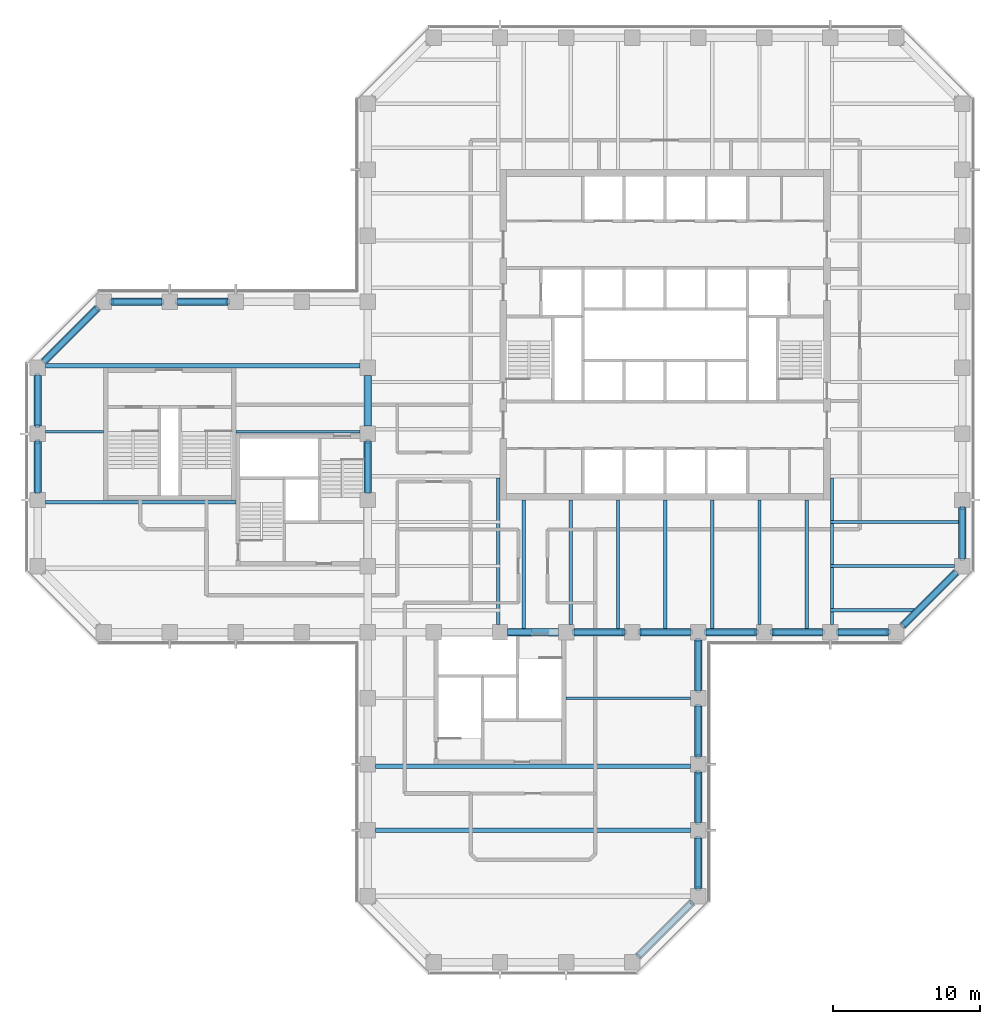
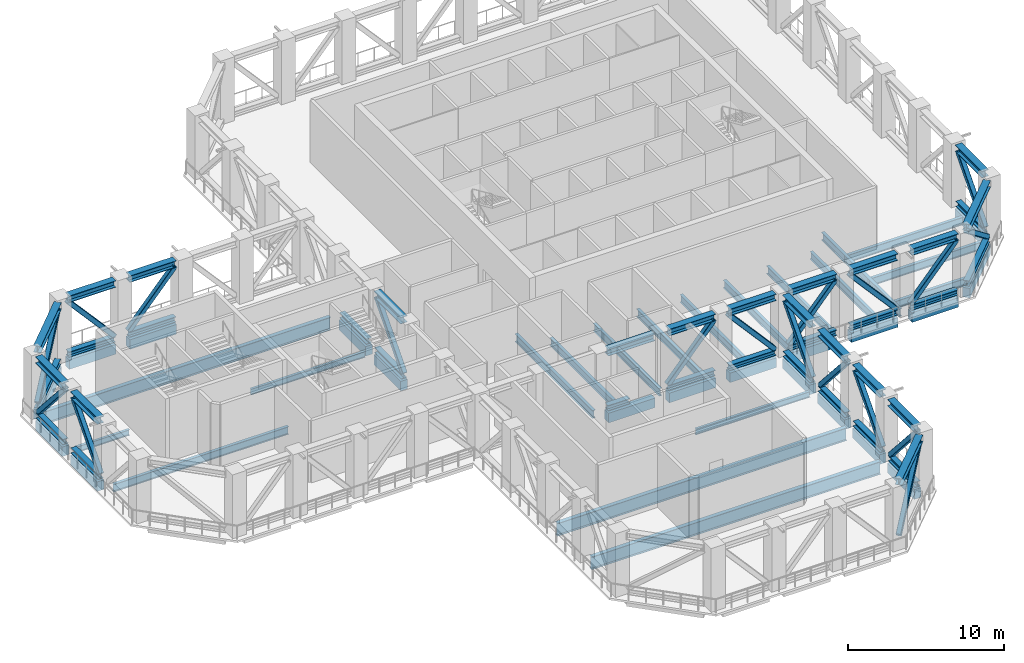
# One storey, part 2 of 14: 56 members, 38 beams.
"""IFC4 building model written with IfcOpenShell, lengths in metres."""

from ifc_helpers import new_model, si_unit, direction, frame, origin, origin_2d, place, context, subcontext, project, spatial, rectangle, hollow_rectangle, i_section, extrude, material, material_profile, profile_set, type_object, element, save


model = new_model("IFC4")

# Units and contexts
model_context = context("Model", 3, precision=1e-05, world=origin(), true_north=direction((0.0, 1.0)))
body_context = subcontext(model_context, "Body", "Model", "MODEL_VIEW")
ifc_project = project(units=[si_unit("LENGTHUNIT", "METRE"), si_unit("AREAUNIT", "SQUARE_METRE"), si_unit("VOLUMEUNIT", "CUBIC_METRE"), si_unit("PLANEANGLEUNIT", "RADIAN"), si_unit("MASSUNIT", "GRAM", prefix="KILO")], contexts=[model_context])

# Site, building, storey
site_placement = place(None, origin())
site = spatial("IfcSite", under=ifc_project, at=site_placement, CompositionType="ELEMENT")
building_placement = place(site_placement, origin())
building = spatial("IfcBuilding", under=site, at=building_placement, Name="Quoin Convention Tower", CompositionType="ELEMENT")
storey_placement = place(building_placement, frame((0.0, 0.0, 138.10009765625)))
storey = spatial("IfcBuildingStorey", under=building, at=storey_placement, Name="L36", CompositionType="ELEMENT", Elevation=138.10009765625)

# Beams
ifc_material_1 = material(Name="Steel Grade 300", Category="steel")
ifc_material_profile_1 = material_profile(ifc_material_1, i_section(OverallWidth=0.300048828125, OverallDepth=1.0, WebThickness=0.01611328125, FlangeThickness=0.02001953125, at=origin_2d()), Name="1000WB215")
ifc_profile_set_1 = profile_set([ifc_material_profile_1], Name="Steel Grade 300")
beam_type_1 = type_object("IfcBeamType", Name="1000WB215", PredefinedType="BEAM", material=ifc_profile_set_1)
for number, where, z_axis, x_axis, name in (
    (1, (36.52490234375, 27.0, -0.650146484375), (1.0, 0.0, 0.0), (0.0, 1.0, 0.0), "gir-L36-ST3-2-0"),
    (2, (36.52490234375, 31.35009765625, -0.650146484375), (1.0, 0.0, 0.0), (0.0, 1.0, 0.0), "gir-L36-ST3-3-0"),
    (3, (14.02490234375, 58.64990234375, -0.650146484375), (1.0, 0.0, 0.0), (0.0, 1.0, 0.0), "gir-L36-ST2-4-0"),
):
    element("IfcBeam", number, at=place(storey_placement, frame(where, z_axis=z_axis, x_axis=x_axis)), inside=storey, type_object=beam_type_1, Name=name, PredefinedType="BEAM", context=body_context, shape_type="SweptSolid", body=[
        extrude(i_section(OverallWidth=0.300048828125, OverallDepth=1.0, WebThickness=0.01611328125, FlangeThickness=0.02001953125, at=origin_2d()), origin(), (0.0, 0.0, 1.0), 21.4501953125),
    ])

# Members
ifc_material_2 = material(Name="Steel C450L0", Category="steel")
ifc_material_profile_2 = material_profile(ifc_material_2, hollow_rectangle(XDim=0.35009765625, YDim=0.35009765625, WallThickness=0.01611328125, InnerFilletRadius=0.02392578125, OuterFilletRadius=0.0400390625, at=origin_2d()), Name="350x350x16.0SHS")
ifc_profile_set_2 = profile_set([ifc_material_profile_2], Name="Steel C450L0")
member_type_1 = type_object("IfcMemberType", Name="350x350x16.0SHS", PredefinedType="BRACE", material=ifc_profile_set_2)
for number, where, z_axis, x_axis, name in (
    (4, (59.02490234375, 40.5, 0.421875), (0.661256330643, 0.0, 0.750160026384), (0.0, 1.0, 0.0), "Belt truss L36 diagonal 58500_40500-63000_40500"),
    (5, (66.97509765625, 40.5, 0.421875), (-0.661256330643, 0.0, 0.750160026384), (0.0, -1.0, 0.0), "Belt truss L36 diagonal 63000_40500-67500_40500"),
    (6, (68.02490234375, 40.5, 0.421875), (0.661256330643, 0.0, 0.750160026384), (0.0, 1.0, 0.0), "Belt truss L36 diagonal 67500_40500-72000_40500"),
):
    element("IfcMember", number, at=place(storey_placement, frame(where, z_axis=z_axis, x_axis=x_axis)), inside=storey, type_object=member_type_1, Name=name, PredefinedType="BRACE", context=body_context, shape_type="SweptSolid", body=[
        extrude(hollow_rectangle(XDim=0.35009765625, YDim=0.35009765625, WallThickness=0.01611328125, InnerFilletRadius=0.02392578125, OuterFilletRadius=0.0400390625, at=origin_2d()), origin(), (0.0, 0.0, 1.0), 5.217529296875),
    ])
member_1_placement = place(storey_placement, frame((76.059814453125, 44.559814453125, 0.421875), z_axis=(-0.561717629009, -0.561717629009, 0.607409755043), x_axis=(0.707106781187, -0.707106781187, 0.0)))
element("IfcMember", 7, at=member_1_placement, inside=storey, type_object=member_type_1, Name="Belt truss L36 diagonal 72000_40500-76500_45000", PredefinedType="BRACE", context=body_context, shape_type="SweptSolid", body=[
    extrude(hollow_rectangle(XDim=0.35009765625, YDim=0.35009765625, WallThickness=0.01611328125, InnerFilletRadius=0.02392578125, OuterFilletRadius=0.0400390625, at=origin_2d()), origin(), (0.0, 0.0, 1.0), 6.44384765625),
])
for number, where, z_axis, x_axis, name in (
    (8, (76.5, 45.52490234375, 0.421875), (0.0, 0.661256330643, 0.750160026384), (-1.0, 0.0, 0.0), "Belt truss L36 diagonal 76500_45000-76500_49500"),
    (9, (23.02490234375, 63.0, 0.421875), (0.661256330643, 0.0, 0.750160026384), (0.0, 1.0, 0.0), "Belt truss L36 diagonal 27000_63000-22500_63000"),
    (10, (21.97509765625, 63.0, 0.421875), (-0.661256330643, 0.0, 0.750160026384), (0.0, -1.0, 0.0), "Belt truss L36 diagonal 22500_63000-18000_63000"),
):
    element("IfcMember", number, at=place(storey_placement, frame(where, z_axis=z_axis, x_axis=x_axis)), inside=storey, type_object=member_type_1, Name=name, PredefinedType="BRACE", context=body_context, shape_type="SweptSolid", body=[
        extrude(hollow_rectangle(XDim=0.35009765625, YDim=0.35009765625, WallThickness=0.01611328125, InnerFilletRadius=0.02392578125, OuterFilletRadius=0.0400390625, at=origin_2d()), origin(), (0.0, 0.0, 1.0), 5.217529296875),
    ])
member_2_placement = place(storey_placement, frame((13.940185546875, 58.940185546875, 0.421875), z_axis=(0.561717629009, 0.561717629009, 0.607409755043), x_axis=(-0.707106781187, 0.707106781187, 0.0)))
element("IfcMember", 11, at=member_2_placement, inside=storey, type_object=member_type_1, Name="Belt truss L36 diagonal 18000_63000-13500_58500", PredefinedType="BRACE", context=body_context, shape_type="SweptSolid", body=[
    extrude(hollow_rectangle(XDim=0.35009765625, YDim=0.35009765625, WallThickness=0.01611328125, InnerFilletRadius=0.02392578125, OuterFilletRadius=0.0400390625, at=origin_2d()), origin(), (0.0, 0.0, 1.0), 6.44384765625),
])
for number, where, z_axis, x_axis, name in (
    (12, (13.5, 57.97509765625, 0.421875), (0.0, -0.661256330643, 0.750160026384), (1.0, 0.0, 0.0), "Belt truss L36 diagonal 13500_58500-13500_54000"),
    (13, (13.5, 50.02490234375, 0.421875), (0.0, 0.661256330643, 0.750160026384), (-1.0, 0.0, 0.0), "Belt truss L36 diagonal 13500_54000-13500_49500"),
):
    element("IfcMember", number, at=place(storey_placement, frame(where, z_axis=z_axis, x_axis=x_axis)), inside=storey, type_object=member_type_1, Name=name, PredefinedType="BRACE", context=body_context, shape_type="SweptSolid", body=[
        extrude(hollow_rectangle(XDim=0.35009765625, YDim=0.35009765625, WallThickness=0.01611328125, InnerFilletRadius=0.02392578125, OuterFilletRadius=0.0400390625, at=origin_2d()), origin(), (0.0, 0.0, 1.0), 5.217529296875),
    ])
member_3_placement = place(storey_placement, frame((54.440185546875, 18.440185546875, 0.421875), z_axis=(0.561717629009, 0.561717629009, 0.607409755043), x_axis=(-0.707106781187, 0.707106781187, 0.0)))
element("IfcMember", 14, at=member_3_placement, inside=storey, type_object=member_type_1, Name="Belt truss L36 diagonal 54000_18000-58500_22500", PredefinedType="BRACE", context=body_context, shape_type="SweptSolid", body=[
    extrude(hollow_rectangle(XDim=0.35009765625, YDim=0.35009765625, WallThickness=0.01611328125, InnerFilletRadius=0.02392578125, OuterFilletRadius=0.0400390625, at=origin_2d()), origin(), (0.0, 0.0, 1.0), 6.44384765625),
])
for number, where, z_axis, x_axis, name in (
    (15, (58.5, 26.47509765625, 0.421875), (0.0, -0.661256330643, 0.750160026384), (1.0, 0.0, 0.0), "Belt truss L36 diagonal 58500_22500-58500_27000"),
    (16, (58.5, 27.52490234375, 0.421875), (0.0, 0.661256330643, 0.750160026384), (-1.0, 0.0, 0.0), "Belt truss L36 diagonal 58500_27000-58500_31500"),
    (17, (58.5, 35.47509765625, 0.421875), (0.0, -0.661256330643, 0.750160026384), (1.0, 0.0, 0.0), "Belt truss L36 diagonal 58500_31500-58500_36000"),
    (18, (58.5, 36.52490234375, 0.421875), (0.0, 0.661256330643, 0.750160026384), (-1.0, 0.0, 0.0), "Belt truss L36 diagonal 58500_36000-58500_40500"),
    (19, (50.02490234375, 40.5, 0.421875), (0.661256330643, 0.0, 0.750160026384), (0.0, 1.0, 0.0), "Belt truss L36 diagonal 49500_40500-54000_40500"),
    (20, (57.97509765625, 40.5, 0.421875), (-0.661256330643, 0.0, 0.750160026384), (0.0, -1.0, 0.0), "Belt truss L36 diagonal 54000_40500-58500_40500"),
    (21, (36.0, 50.02490234375, 0.421875), (0.0, 0.661256330643, 0.750160026384), (-1.0, 0.0, 0.0), "Belt truss L36 diagonal 36000_49500-36000_54000"),
):
    element("IfcMember", number, at=place(storey_placement, frame(where, z_axis=z_axis, x_axis=x_axis)), inside=storey, type_object=member_type_1, Name=name, PredefinedType="BRACE", context=body_context, shape_type="SweptSolid", body=[
        extrude(hollow_rectangle(XDim=0.35009765625, YDim=0.35009765625, WallThickness=0.01611328125, InnerFilletRadius=0.02392578125, OuterFilletRadius=0.0400390625, at=origin_2d()), origin(), (0.0, 0.0, 1.0), 5.217529296875),
    ])
ifc_material_profile_3 = material_profile(ifc_material_1, i_section(OverallWidth=0.39990234375, OverallDepth=0.422119140625, WebThickness=0.028076171875, FlangeThickness=0.035888671875, at=origin_2d()), Name="400WC303")
ifc_profile_set_3 = profile_set([ifc_material_profile_3], Name="Steel Grade 300")
member_type_2 = type_object("IfcMemberType", Name="400WC303", PredefinedType="CHORD", material=ifc_profile_set_3)
for number, where, z_axis, x_axis, name in (
    (22, (59.02490234375, 40.5, 0.2109375), (1.0, 0.0, 0.0), (0.0, 1.0, 0.0), "Belt truss L36 bottom chord 58500_40500-63000_40500"),
    (23, (63.52490234375, 40.5, 0.2109375), (1.0, 0.0, 0.0), (0.0, 1.0, 0.0), "Belt truss L36 bottom chord 63000_40500-67500_40500"),
    (24, (68.02490234375, 40.5, 0.2109375), (1.0, 0.0, 0.0), (0.0, 1.0, 0.0), "Belt truss L36 bottom chord 67500_40500-72000_40500"),
):
    element("IfcMember", number, at=place(storey_placement, frame(where, z_axis=z_axis, x_axis=x_axis)), inside=storey, type_object=member_type_2, Name=name, PredefinedType="CHORD", context=body_context, shape_type="SweptSolid", body=[
        extrude(i_section(OverallWidth=0.39990234375, OverallDepth=0.422119140625, WebThickness=0.028076171875, FlangeThickness=0.035888671875, at=origin_2d()), origin(), (0.0, 0.0, 1.0), 3.4501953125),
    ])
member_4_placement = place(storey_placement, frame((72.440185546875, 40.940185546875, 0.2109375), z_axis=(0.707106781187, 0.707106781187, 0.0), x_axis=(-0.707106781187, 0.707106781187, 0.0)))
element("IfcMember", 25, at=member_4_placement, inside=storey, type_object=member_type_2, Name="Belt truss L36 bottom chord 72000_40500-76500_45000", PredefinedType="CHORD", context=body_context, shape_type="SweptSolid", body=[
    extrude(i_section(OverallWidth=0.39990234375, OverallDepth=0.422119140625, WebThickness=0.028076171875, FlangeThickness=0.035888671875, at=origin_2d()), origin(), (0.0, 0.0, 1.0), 5.118896484375),
])
for number, where, z_axis, x_axis, name in (
    (26, (76.5, 45.52490234375, 0.2109375), (0.0, 1.0, 0.0), (-1.0, 0.0, 0.0), "Belt truss L36 bottom chord 76500_45000-76500_49500"),
    (27, (26.47509765625, 63.0, 0.2109375), (-1.0, 0.0, 0.0), (0.0, -1.0, 0.0), "Belt truss L36 bottom chord 27000_63000-22500_63000"),
    (28, (21.97509765625, 63.0, 0.2109375), (-1.0, 0.0, 0.0), (0.0, -1.0, 0.0), "Belt truss L36 bottom chord 22500_63000-18000_63000"),
):
    element("IfcMember", number, at=place(storey_placement, frame(where, z_axis=z_axis, x_axis=x_axis)), inside=storey, type_object=member_type_2, Name=name, PredefinedType="CHORD", context=body_context, shape_type="SweptSolid", body=[
        extrude(i_section(OverallWidth=0.39990234375, OverallDepth=0.422119140625, WebThickness=0.028076171875, FlangeThickness=0.035888671875, at=origin_2d()), origin(), (0.0, 0.0, 1.0), 3.4501953125),
    ])
member_5_placement = place(storey_placement, frame((17.559814453125, 62.559814453125, 0.2109375), z_axis=(-0.707106781187, -0.707106781187, 0.0), x_axis=(0.707106781187, -0.707106781187, 0.0)))
element("IfcMember", 29, at=member_5_placement, inside=storey, type_object=member_type_2, Name="Belt truss L36 bottom chord 18000_63000-13500_58500", PredefinedType="CHORD", context=body_context, shape_type="SweptSolid", body=[
    extrude(i_section(OverallWidth=0.39990234375, OverallDepth=0.422119140625, WebThickness=0.028076171875, FlangeThickness=0.035888671875, at=origin_2d()), origin(), (0.0, 0.0, 1.0), 5.118896484375),
])
for number, where, z_axis, x_axis, name in (
    (30, (13.5, 57.97509765625, 0.2109375), (0.0, -1.0, 0.0), (1.0, 0.0, 0.0), "Belt truss L36 bottom chord 13500_58500-13500_54000"),
    (31, (13.5, 53.47509765625, 0.2109375), (0.0, -1.0, 0.0), (1.0, 0.0, 0.0), "Belt truss L36 bottom chord 13500_54000-13500_49500"),
    (32, (58.5, 23.02490234375, 0.2109375), (0.0, 1.0, 0.0), (-1.0, 0.0, 0.0), "Belt truss L36 bottom chord 58500_22500-58500_27000"),
    (33, (58.5, 27.52490234375, 0.2109375), (0.0, 1.0, 0.0), (-1.0, 0.0, 0.0), "Belt truss L36 bottom chord 58500_27000-58500_31500"),
    (34, (58.5, 32.02490234375, 0.2109375), (0.0, 1.0, 0.0), (-1.0, 0.0, 0.0), "Belt truss L36 bottom chord 58500_31500-58500_36000"),
    (35, (58.5, 36.52490234375, 0.2109375), (0.0, 1.0, 0.0), (-1.0, 0.0, 0.0), "Belt truss L36 bottom chord 58500_36000-58500_40500"),
    (36, (50.02490234375, 40.5, 0.2109375), (1.0, 0.0, 0.0), (0.0, 1.0, 0.0), "Belt truss L36 bottom chord 49500_40500-54000_40500"),
    (37, (54.52490234375, 40.5, 0.2109375), (1.0, 0.0, 0.0), (0.0, 1.0, 0.0), "Belt truss L36 bottom chord 54000_40500-58500_40500"),
    (38, (36.0, 50.02490234375, 0.2109375), (0.0, 1.0, 0.0), (-1.0, 0.0, 0.0), "Belt truss L36 bottom chord 36000_49500-36000_54000"),
    (39, (36.0, 54.52490234375, 0.2109375), (0.0, 1.0, 0.0), (-1.0, 0.0, 0.0), "Belt truss L36 bottom chord 36000_54000-36000_58500"),
):
    element("IfcMember", number, at=place(storey_placement, frame(where, z_axis=z_axis, x_axis=x_axis)), inside=storey, type_object=member_type_2, Name=name, PredefinedType="CHORD", context=body_context, shape_type="SweptSolid", body=[
        extrude(i_section(OverallWidth=0.39990234375, OverallDepth=0.422119140625, WebThickness=0.028076171875, FlangeThickness=0.035888671875, at=origin_2d()), origin(), (0.0, 0.0, 1.0), 3.4501953125),
    ])
member_6_placement = place(storey_placement, frame((45.52490234375, 40.5, 0.2109375), z_axis=(1.0, 0.0, 0.0), x_axis=(0.0, 1.0, 0.0)))
element("IfcMember", 40, at=member_6_placement, inside=storey, type_object=member_type_2, Name="Belt truss L36 bottom chord 45000_40500-49500_40500", PredefinedType="CHORD", context=body_context, shape_type="SweptSolid", body=[
    extrude(i_section(OverallWidth=0.39990234375, OverallDepth=0.422119140625, WebThickness=0.028076171875, FlangeThickness=0.035888671875, at=origin_2d()), origin(), (0.0, 0.0, 1.0), 1.625),
])

# Beams
ifc_material_profile_4 = material_profile(ifc_material_1, i_section(OverallWidth=0.18994140625, OverallDepth=0.4541015625, WebThickness=0.008544921875, FlangeThickness=0.0126953125, FilletRadius=0.011474609375, at=origin_2d()), Name="460UB67.1")
ifc_profile_set_4 = profile_set([ifc_material_profile_4], Name="Steel Grade 300")
beam_type_2 = type_object("IfcBeamType", Name="460UB67.1", PredefinedType="BEAM", material=ifc_profile_set_4)
beam_1_placement = place(storey_placement, frame((49.5, 36.0, -0.377197265625), z_axis=(1.0, 0.0, 0.0), x_axis=(0.0, 1.0, 0.0)))
element("IfcBeam", 41, at=beam_1_placement, inside=storey, type_object=beam_type_2, Name="gir-L36-ST3-4-1", PredefinedType="BEAM", context=body_context, shape_type="SweptSolid", body=[
    extrude(i_section(OverallWidth=0.18994140625, OverallDepth=0.4541015625, WebThickness=0.008544921875, FlangeThickness=0.0126953125, FilletRadius=0.011474609375, at=origin_2d()), origin(), (0.0, 0.0, 1.0), 8.47509765625),
])
beam_2_placement = place(storey_placement, frame((14.02490234375, 54.14990234375, -0.377197265625), z_axis=(1.0, 0.0, 0.0), x_axis=(0.0, 1.0, 0.0)))
element("IfcBeam", 42, at=beam_2_placement, inside=storey, type_object=beam_type_2, Name="gir-L36-ST2-3-0", PredefinedType="BEAM", context=body_context, shape_type="SweptSolid", body=[
    extrude(i_section(OverallWidth=0.18994140625, OverallDepth=0.4541015625, WebThickness=0.008544921875, FlangeThickness=0.0126953125, FilletRadius=0.011474609375, at=origin_2d()), origin(), (0.0, 0.0, 1.0), 3.97509765625),
])
beam_3_placement = place(storey_placement, frame((27.0, 54.14990234375, -0.377197265625), z_axis=(1.0, 0.0, 0.0), x_axis=(0.0, 1.0, 0.0)))
element("IfcBeam", 43, at=beam_3_placement, inside=storey, type_object=beam_type_2, Name="gir-L36-ST2-3-1", PredefinedType="BEAM", context=body_context, shape_type="SweptSolid", body=[
    extrude(i_section(OverallWidth=0.18994140625, OverallDepth=0.4541015625, WebThickness=0.008544921875, FlangeThickness=0.0126953125, FilletRadius=0.011474609375, at=origin_2d()), origin(), (0.0, 0.0, 1.0), 8.47509765625),
])

# Members
ifc_material_profile_5 = material_profile(ifc_material_1, i_section(OverallWidth=0.5, OverallDepth=0.513916015625, WebThickness=0.02490234375, FlangeThickness=0.031982421875, at=origin_2d()), Name="500WC340")
ifc_profile_set_5 = profile_set([ifc_material_profile_5], Name="Steel Grade 300")
member_type_3 = type_object("IfcMemberType", Name="500WC340", PredefinedType="CHORD", material=ifc_profile_set_5)
for number, where, z_axis, x_axis, name in (
    (44, (59.02490234375, 40.5, 4.593017578125), (1.0, 0.0, 0.0), (0.0, 1.0, 0.0), "Belt truss L36 top chord 58500_40500-63000_40500"),
    (45, (63.52490234375, 40.5, 4.593017578125), (1.0, 0.0, 0.0), (0.0, 1.0, 0.0), "Belt truss L36 top chord 63000_40500-67500_40500"),
    (46, (68.02490234375, 40.5, 4.593017578125), (1.0, 0.0, 0.0), (0.0, 1.0, 0.0), "Belt truss L36 top chord 67500_40500-72000_40500"),
):
    element("IfcMember", number, at=place(storey_placement, frame(where, z_axis=z_axis, x_axis=x_axis)), inside=storey, type_object=member_type_3, Name=name, PredefinedType="CHORD", context=body_context, shape_type="SweptSolid", body=[
        extrude(i_section(OverallWidth=0.5, OverallDepth=0.513916015625, WebThickness=0.02490234375, FlangeThickness=0.031982421875, at=origin_2d()), origin(), (0.0, 0.0, 1.0), 3.4501953125),
    ])
member_7_placement = place(storey_placement, frame((72.440185546875, 40.940185546875, 4.593017578125), z_axis=(0.707106781187, 0.707106781187, 0.0), x_axis=(-0.707106781187, 0.707106781187, 0.0)))
element("IfcMember", 47, at=member_7_placement, inside=storey, type_object=member_type_3, Name="Belt truss L36 top chord 72000_40500-76500_45000", PredefinedType="CHORD", context=body_context, shape_type="SweptSolid", body=[
    extrude(i_section(OverallWidth=0.5, OverallDepth=0.513916015625, WebThickness=0.02490234375, FlangeThickness=0.031982421875, at=origin_2d()), origin(), (0.0, 0.0, 1.0), 5.118896484375),
])
for number, where, z_axis, x_axis, name in (
    (48, (76.5, 45.52490234375, 4.593017578125), (0.0, 1.0, 0.0), (-1.0, 0.0, 0.0), "Belt truss L36 top chord 76500_45000-76500_49500"),
    (49, (26.47509765625, 63.0, 4.593017578125), (-1.0, 0.0, 0.0), (0.0, -1.0, 0.0), "Belt truss L36 top chord 27000_63000-22500_63000"),
    (50, (21.97509765625, 63.0, 4.593017578125), (-1.0, 0.0, 0.0), (0.0, -1.0, 0.0), "Belt truss L36 top chord 22500_63000-18000_63000"),
):
    element("IfcMember", number, at=place(storey_placement, frame(where, z_axis=z_axis, x_axis=x_axis)), inside=storey, type_object=member_type_3, Name=name, PredefinedType="CHORD", context=body_context, shape_type="SweptSolid", body=[
        extrude(i_section(OverallWidth=0.5, OverallDepth=0.513916015625, WebThickness=0.02490234375, FlangeThickness=0.031982421875, at=origin_2d()), origin(), (0.0, 0.0, 1.0), 3.4501953125),
    ])
member_8_placement = place(storey_placement, frame((17.559814453125, 62.559814453125, 4.593017578125), z_axis=(-0.707106781187, -0.707106781187, 0.0), x_axis=(0.707106781187, -0.707106781187, 0.0)))
element("IfcMember", 51, at=member_8_placement, inside=storey, type_object=member_type_3, Name="Belt truss L36 top chord 18000_63000-13500_58500", PredefinedType="CHORD", context=body_context, shape_type="SweptSolid", body=[
    extrude(i_section(OverallWidth=0.5, OverallDepth=0.513916015625, WebThickness=0.02490234375, FlangeThickness=0.031982421875, at=origin_2d()), origin(), (0.0, 0.0, 1.0), 5.118896484375),
])
for number, where, z_axis, x_axis, name in (
    (52, (13.5, 57.97509765625, 4.593017578125), (0.0, -1.0, 0.0), (1.0, 0.0, 0.0), "Belt truss L36 top chord 13500_58500-13500_54000"),
    (53, (13.5, 53.47509765625, 4.593017578125), (0.0, -1.0, 0.0), (1.0, 0.0, 0.0), "Belt truss L36 top chord 13500_54000-13500_49500"),
):
    element("IfcMember", number, at=place(storey_placement, frame(where, z_axis=z_axis, x_axis=x_axis)), inside=storey, type_object=member_type_3, Name=name, PredefinedType="CHORD", context=body_context, shape_type="SweptSolid", body=[
        extrude(i_section(OverallWidth=0.5, OverallDepth=0.513916015625, WebThickness=0.02490234375, FlangeThickness=0.031982421875, at=origin_2d()), origin(), (0.0, 0.0, 1.0), 3.4501953125),
    ])
member_9_placement = place(storey_placement, frame((54.440185546875, 18.440185546875, 4.593017578125), z_axis=(0.707106781187, 0.707106781187, 0.0), x_axis=(-0.707106781187, 0.707106781187, 0.0)))
element("IfcMember", 54, at=member_9_placement, inside=storey, type_object=member_type_3, Name="Belt truss L36 top chord 54000_18000-58500_22500", PredefinedType="CHORD", context=body_context, shape_type="SweptSolid", body=[
    extrude(i_section(OverallWidth=0.5, OverallDepth=0.513916015625, WebThickness=0.02490234375, FlangeThickness=0.031982421875, at=origin_2d()), origin(), (0.0, 0.0, 1.0), 5.118896484375),
])
for number, where, z_axis, x_axis, name in (
    (55, (58.5, 23.02490234375, 4.593017578125), (0.0, 1.0, 0.0), (-1.0, 0.0, 0.0), "Belt truss L36 top chord 58500_22500-58500_27000"),
    (56, (58.5, 27.52490234375, 4.593017578125), (0.0, 1.0, 0.0), (-1.0, 0.0, 0.0), "Belt truss L36 top chord 58500_27000-58500_31500"),
    (57, (58.5, 32.02490234375, 4.593017578125), (0.0, 1.0, 0.0), (-1.0, 0.0, 0.0), "Belt truss L36 top chord 58500_31500-58500_36000"),
    (58, (58.5, 36.52490234375, 4.593017578125), (0.0, 1.0, 0.0), (-1.0, 0.0, 0.0), "Belt truss L36 top chord 58500_36000-58500_40500"),
    (59, (45.52490234375, 40.5, 4.593017578125), (1.0, 0.0, 0.0), (0.0, 1.0, 0.0), "Belt truss L36 top chord 45000_40500-49500_40500"),
    (60, (50.02490234375, 40.5, 4.593017578125), (1.0, 0.0, 0.0), (0.0, 1.0, 0.0), "Belt truss L36 top chord 49500_40500-54000_40500"),
    (61, (54.52490234375, 40.5, 4.593017578125), (1.0, 0.0, 0.0), (0.0, 1.0, 0.0), "Belt truss L36 top chord 54000_40500-58500_40500"),
    (62, (36.0, 50.02490234375, 4.593017578125), (0.0, 1.0, 0.0), (-1.0, 0.0, 0.0), "Belt truss L36 top chord 36000_49500-36000_54000"),
):
    element("IfcMember", number, at=place(storey_placement, frame(where, z_axis=z_axis, x_axis=x_axis)), inside=storey, type_object=member_type_3, Name=name, PredefinedType="CHORD", context=body_context, shape_type="SweptSolid", body=[
        extrude(i_section(OverallWidth=0.5, OverallDepth=0.513916015625, WebThickness=0.02490234375, FlangeThickness=0.031982421875, at=origin_2d()), origin(), (0.0, 0.0, 1.0), 3.4501953125),
    ])

# Beams
ifc_material_profile_6 = material_profile(ifc_material_1, i_section(OverallWidth=0.22802734375, OverallDepth=0.60205078125, WebThickness=0.010498046875, FlangeThickness=0.014892578125, FilletRadius=0.013916015625, at=origin_2d()), Name="610UB101")
ifc_profile_set_6 = profile_set([ifc_material_profile_6], Name="Steel Grade 300")
beam_type_3 = type_object("IfcBeamType", Name="610UB101", PredefinedType="BEAM", material=ifc_profile_set_6)
beam_4_placement = place(storey_placement, frame((46.607177734375, 40.75, -0.451171875), z_axis=(0.0, 1.0, 0.0), x_axis=(-1.0, 0.0, 0.0)))
element("IfcBeam", 63, at=beam_4_placement, inside=storey, type_object=beam_type_3, Name="bm-L36-T1S0", PredefinedType="BEAM", context=body_context, shape_type="SweptSolid", body=[
    extrude(i_section(OverallWidth=0.22802734375, OverallDepth=0.60205078125, WebThickness=0.010498046875, FlangeThickness=0.014892578125, FilletRadius=0.013916015625, at=origin_2d()), origin(), (0.0, 0.0, 1.0), 8.75),
])
beam_5_placement = place(storey_placement, frame((49.8212890625, 41.02490234375, -0.451171875), z_axis=(0.0, 1.0, 0.0), x_axis=(-1.0, 0.0, 0.0)))
element("IfcBeam", 64, at=beam_5_placement, inside=storey, type_object=beam_type_3, Name="bm-L36-T1S1", PredefinedType="BEAM", context=body_context, shape_type="SweptSolid", body=[
    extrude(i_section(OverallWidth=0.22802734375, OverallDepth=0.60205078125, WebThickness=0.010498046875, FlangeThickness=0.014892578125, FilletRadius=0.013916015625, at=origin_2d()), origin(), (0.0, 0.0, 1.0), 8.47509765625),
])
for number, where, z_axis, x_axis, name in (
    (65, (53.03564453125, 40.75, -0.451171875), (0.0, 1.0, 0.0), (-1.0, 0.0, 0.0), "bm-L36-T1S2"),
    (66, (56.25, 40.75, -0.451171875), (0.0, 1.0, 0.0), (-1.0, 0.0, 0.0), "bm-L36-T1S3"),
    (67, (59.46435546875, 40.75, -0.451171875), (0.0, 1.0, 0.0), (-1.0, 0.0, 0.0), "bm-L36-T1S4"),
):
    element("IfcBeam", number, at=place(storey_placement, frame(where, z_axis=z_axis, x_axis=x_axis)), inside=storey, type_object=beam_type_3, Name=name, PredefinedType="BEAM", context=body_context, shape_type="SweptSolid", body=[
        extrude(i_section(OverallWidth=0.22802734375, OverallDepth=0.60205078125, WebThickness=0.010498046875, FlangeThickness=0.014892578125, FilletRadius=0.013916015625, at=origin_2d()), origin(), (0.0, 0.0, 1.0), 8.75),
    ])
beam_6_placement = place(storey_placement, frame((62.6787109375, 41.02490234375, -0.451171875), z_axis=(0.0, 1.0, 0.0), x_axis=(-1.0, 0.0, 0.0)))
element("IfcBeam", 68, at=beam_6_placement, inside=storey, type_object=beam_type_3, Name="bm-L36-T1S5", PredefinedType="BEAM", context=body_context, shape_type="SweptSolid", body=[
    extrude(i_section(OverallWidth=0.22802734375, OverallDepth=0.60205078125, WebThickness=0.010498046875, FlangeThickness=0.014892578125, FilletRadius=0.013916015625, at=origin_2d()), origin(), (0.0, 0.0, 1.0), 8.47509765625),
])
beam_7_placement = place(storey_placement, frame((65.892822265625, 40.75, -0.451171875), z_axis=(0.0, 1.0, 0.0), x_axis=(-1.0, 0.0, 0.0)))
element("IfcBeam", 69, at=beam_7_placement, inside=storey, type_object=beam_type_3, Name="bm-L36-T1S6", PredefinedType="BEAM", context=body_context, shape_type="SweptSolid", body=[
    extrude(i_section(OverallWidth=0.22802734375, OverallDepth=0.60205078125, WebThickness=0.010498046875, FlangeThickness=0.014892578125, FilletRadius=0.013916015625, at=origin_2d()), origin(), (0.0, 0.0, 1.0), 8.75),
])
beam_8_placement = place(storey_placement, frame((67.5, 42.0, -0.451171875), z_axis=(1.0, 0.0, 0.0), x_axis=(0.0, 1.0, 0.0)))
element("IfcBeam", 70, at=beam_8_placement, inside=storey, type_object=beam_type_3, Name="bm-L36-T1SE0", PredefinedType="BEAM", context=body_context, shape_type="SweptSolid", body=[
    extrude(i_section(OverallWidth=0.22802734375, OverallDepth=0.60205078125, WebThickness=0.010498046875, FlangeThickness=0.014892578125, FilletRadius=0.013916015625, at=origin_2d()), origin(), (0.0, 0.0, 1.0), 5.937255859375),
])
beam_9_placement = place(storey_placement, frame((67.5, 45.0, -0.451171875), z_axis=(1.0, 0.0, 0.0), x_axis=(0.0, 1.0, 0.0)))
element("IfcBeam", 71, at=beam_9_placement, inside=storey, type_object=beam_type_3, Name="bm-L36-T1SE1", PredefinedType="BEAM", context=body_context, shape_type="SweptSolid", body=[
    extrude(i_section(OverallWidth=0.22802734375, OverallDepth=0.60205078125, WebThickness=0.010498046875, FlangeThickness=0.014892578125, FilletRadius=0.013916015625, at=origin_2d()), origin(), (0.0, 0.0, 1.0), 8.47509765625),
])
beam_10_placement = place(storey_placement, frame((67.5, 48.0, -0.451171875), z_axis=(1.0, 0.0, 0.0), x_axis=(0.0, 1.0, 0.0)))
element("IfcBeam", 72, at=beam_10_placement, inside=storey, type_object=beam_type_3, Name="bm-L36-T1SE2", PredefinedType="BEAM", context=body_context, shape_type="SweptSolid", body=[
    extrude(i_section(OverallWidth=0.22802734375, OverallDepth=0.60205078125, WebThickness=0.010498046875, FlangeThickness=0.014892578125, FilletRadius=0.013916015625, at=origin_2d()), origin(), (0.0, 0.0, 1.0), 8.75),
])
beam_11_placement = place(storey_placement, frame((14.02490234375, 49.35009765625, -0.451171875), z_axis=(1.0, 0.0, 0.0), x_axis=(0.0, 1.0, 0.0)))
element("IfcBeam", 73, at=beam_11_placement, inside=storey, type_object=beam_type_3, Name="gir-L36-ST2-2-0", PredefinedType="BEAM", context=body_context, shape_type="SweptSolid", body=[
    extrude(i_section(OverallWidth=0.22802734375, OverallDepth=0.60205078125, WebThickness=0.010498046875, FlangeThickness=0.014892578125, FilletRadius=0.013916015625, at=origin_2d()), origin(), (0.0, 0.0, 1.0), 12.97509765625),
])
ifc_material_profile_7 = material_profile(ifc_material_1, i_section(OverallWidth=0.22900390625, OverallDepth=0.612060546875, WebThickness=0.011962890625, FlangeThickness=0.01953125, FilletRadius=0.013916015625, at=origin_2d()), Name="610UB125")
ifc_profile_set_7 = profile_set([ifc_material_profile_7], Name="Steel Grade 300")
beam_type_4 = type_object("IfcBeamType", Name="610UB125", PredefinedType="BEAM", material=ifc_profile_set_7)
for number, where, z_axis, x_axis, name in (
    (74, (44.885498046875, 41.02490234375, -0.4560546875), (0.0, 1.0, 0.0), (-1.0, 0.0, 0.0), "gir-L36-T1SW"),
    (75, (67.614501953125, 41.02490234375, -0.4560546875), (0.0, 1.0, 0.0), (-1.0, 0.0, 0.0), "gir-L36-T1SE"),
):
    element("IfcBeam", number, at=place(storey_placement, frame(where, z_axis=z_axis, x_axis=x_axis)), inside=storey, type_object=beam_type_4, Name=name, PredefinedType="BEAM", context=body_context, shape_type="SweptSolid", body=[
        extrude(i_section(OverallWidth=0.22900390625, OverallDepth=0.612060546875, WebThickness=0.011962890625, FlangeThickness=0.01953125, FilletRadius=0.013916015625, at=origin_2d()), origin(), (0.0, 0.0, 1.0), 9.96826171875),
    ])
ifc_material_3 = material(Name="Concrete C65", Category="concrete")
ifc_material_profile_8 = material_profile(ifc_material_3, rectangle(XDim=0.5, YDim=0.75, at=origin_2d()), Name="RC 500x750")
ifc_profile_set_8 = profile_set([ifc_material_profile_8], Name="Concrete C65")
beam_type_5 = type_object("IfcBeamType", Name="RC 500x750 C65", PredefinedType="SPANDREL", material=ifc_profile_set_8)
for number, where, z_axis, x_axis, name in (
    (76, (59.02490234375, 40.5, -0.525146484375), (1.0, 0.0, 0.0), (0.0, 1.0, 0.0), "spd-L36-58500_40500-63000_40500"),
    (77, (63.52490234375, 40.5, -0.525146484375), (1.0, 0.0, 0.0), (0.0, 1.0, 0.0), "spd-L36-63000_40500-67500_40500"),
    (78, (68.02490234375, 40.5, -0.525146484375), (1.0, 0.0, 0.0), (0.0, 1.0, 0.0), "spd-L36-67500_40500-72000_40500"),
):
    element("IfcBeam", number, at=place(storey_placement, frame(where, z_axis=z_axis, x_axis=x_axis)), inside=storey, type_object=beam_type_5, Name=name, PredefinedType="SPANDREL", context=body_context, shape_type="SweptSolid", body=[
        extrude(rectangle(XDim=0.5, YDim=0.75, at=origin_2d()), origin(), (0.0, 0.0, 1.0), 3.4501953125),
    ])
beam_12_placement = place(storey_placement, frame((72.440185546875, 40.940185546875, -0.525146484375), z_axis=(0.707106781187, 0.707106781187, 0.0), x_axis=(-0.707106781187, 0.707106781187, 0.0)))
element("IfcBeam", 79, at=beam_12_placement, inside=storey, type_object=beam_type_5, Name="spd-L36-72000_40500-76500_45000", PredefinedType="SPANDREL", context=body_context, shape_type="SweptSolid", body=[
    extrude(rectangle(XDim=0.5, YDim=0.75, at=origin_2d()), origin(), (0.0, 0.0, 1.0), 5.118896484375),
])
for number, where, z_axis, x_axis, name in (
    (80, (76.5, 45.52490234375, -0.525146484375), (0.0, 1.0, 0.0), (-1.0, 0.0, 0.0), "spd-L36-76500_45000-76500_49500"),
    (81, (26.47509765625, 63.0, -0.525146484375), (-1.0, 0.0, 0.0), (0.0, -1.0, 0.0), "spd-L36-27000_63000-22500_63000"),
    (82, (21.97509765625, 63.0, -0.525146484375), (-1.0, 0.0, 0.0), (0.0, -1.0, 0.0), "spd-L36-22500_63000-18000_63000"),
):
    element("IfcBeam", number, at=place(storey_placement, frame(where, z_axis=z_axis, x_axis=x_axis)), inside=storey, type_object=beam_type_5, Name=name, PredefinedType="SPANDREL", context=body_context, shape_type="SweptSolid", body=[
        extrude(rectangle(XDim=0.5, YDim=0.75, at=origin_2d()), origin(), (0.0, 0.0, 1.0), 3.4501953125),
    ])
beam_13_placement = place(storey_placement, frame((17.559814453125, 62.559814453125, -0.525146484375), z_axis=(-0.707106781187, -0.707106781187, 0.0), x_axis=(0.707106781187, -0.707106781187, 0.0)))
element("IfcBeam", 83, at=beam_13_placement, inside=storey, type_object=beam_type_5, Name="spd-L36-18000_63000-13500_58500", PredefinedType="SPANDREL", context=body_context, shape_type="SweptSolid", body=[
    extrude(rectangle(XDim=0.5, YDim=0.75, at=origin_2d()), origin(), (0.0, 0.0, 1.0), 5.118896484375),
])
for number, where, z_axis, x_axis, name in (
    (84, (13.5, 57.97509765625, -0.525146484375), (0.0, -1.0, 0.0), (1.0, 0.0, 0.0), "spd-L36-13500_58500-13500_54000"),
    (85, (13.5, 53.47509765625, -0.525146484375), (0.0, -1.0, 0.0), (1.0, 0.0, 0.0), "spd-L36-13500_54000-13500_49500"),
    (86, (58.5, 23.02490234375, -0.525146484375), (0.0, 1.0, 0.0), (-1.0, 0.0, 0.0), "spd-L36-58500_22500-58500_27000"),
    (87, (58.5, 27.52490234375, -0.525146484375), (0.0, 1.0, 0.0), (-1.0, 0.0, 0.0), "spd-L36-58500_27000-58500_31500"),
    (88, (58.5, 32.02490234375, -0.525146484375), (0.0, 1.0, 0.0), (-1.0, 0.0, 0.0), "spd-L36-58500_31500-58500_36000"),
    (89, (58.5, 36.52490234375, -0.525146484375), (0.0, 1.0, 0.0), (-1.0, 0.0, 0.0), "spd-L36-58500_36000-58500_40500"),
    (90, (45.52490234375, 40.5, -0.525146484375), (1.0, 0.0, 0.0), (0.0, 1.0, 0.0), "spd-L36-45000_40500-49500_40500"),
    (91, (50.02490234375, 40.5, -0.525146484375), (1.0, 0.0, 0.0), (0.0, 1.0, 0.0), "spd-L36-49500_40500-54000_40500"),
    (92, (54.52490234375, 40.5, -0.525146484375), (1.0, 0.0, 0.0), (0.0, 1.0, 0.0), "spd-L36-54000_40500-58500_40500"),
    (93, (36.0, 50.02490234375, -0.525146484375), (0.0, 1.0, 0.0), (-1.0, 0.0, 0.0), "spd-L36-36000_49500-36000_54000"),
    (94, (36.0, 54.52490234375, -0.525146484375), (0.0, 1.0, 0.0), (-1.0, 0.0, 0.0), "spd-L36-36000_54000-36000_58500"),
):
    element("IfcBeam", number, at=place(storey_placement, frame(where, z_axis=z_axis, x_axis=x_axis)), inside=storey, type_object=beam_type_5, Name=name, PredefinedType="SPANDREL", context=body_context, shape_type="SweptSolid", body=[
        extrude(rectangle(XDim=0.5, YDim=0.75, at=origin_2d()), origin(), (0.0, 0.0, 1.0), 3.4501953125),
    ])

save(model, "model.ifc")
